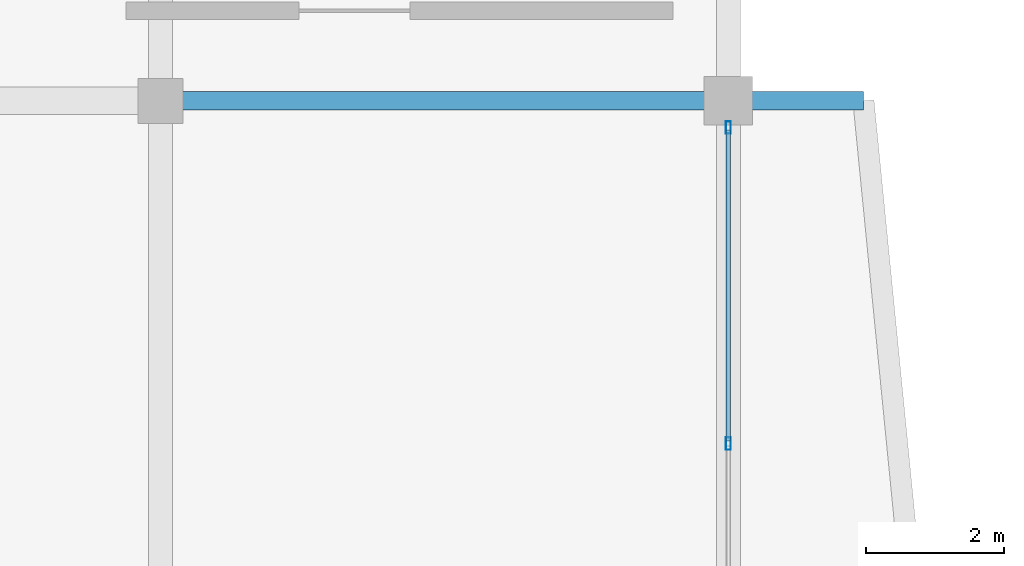
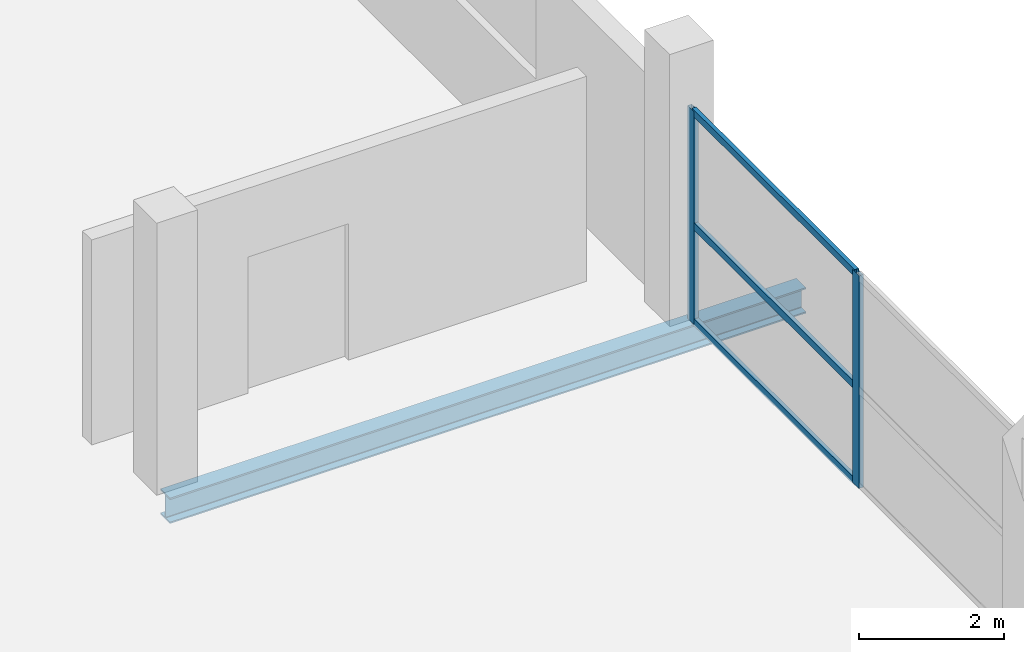
# One storey, part 42 of 69: 5 members, 1 beam, 1 element without a shape of its own.
"""IFC4 building model written with IfcOpenShell, lengths in metres."""

from ifc_helpers import new_model, si_unit, direction, frame, origin, origin_2d, place, context, subcontext, project, spatial, hollow_rectangle, i_section, extrude, material, layer, layer_set, material_profile, profile_set, type_object, element, aggregate, save


model = new_model("IFC4")

# Units and contexts
model_context = context("Model", 3, precision=1e-05, world=origin(), true_north=direction((0.0, 1.0)))
body_context = subcontext(model_context, "Body", "Model", "MODEL_VIEW")
ifc_project = project(units=[si_unit("LENGTHUNIT", "METRE"), si_unit("AREAUNIT", "SQUARE_METRE"), si_unit("VOLUMEUNIT", "CUBIC_METRE"), si_unit("PLANEANGLEUNIT", "RADIAN"), si_unit("MASSUNIT", "GRAM", prefix="KILO")], contexts=[model_context])

# Site, building, storey
site_placement = place(None, origin())
site = spatial("IfcSite", under=ifc_project, at=site_placement, CompositionType="ELEMENT")
building_placement = place(site_placement, origin())
building = spatial("IfcBuilding", under=site, at=building_placement, Name="Sillaruma Civic Art Gallery", CompositionType="ELEMENT")
storey_placement = place(building_placement, frame((0.0, 0.0, 42.330078125)))
storey = spatial("IfcBuildingStorey", under=building, at=storey_placement, Name="L08", CompositionType="ELEMENT", Elevation=42.330078125)

# Beam
ifc_material_1 = material(Name="Structural Steel ASTM A992 Gr.50", Category="steel")
ifc_material_profile_1 = material_profile(ifc_material_1, i_section(OverallWidth=0.264892578125, OverallDepth=0.430908203125, WebThickness=0.014892578125, FlangeThickness=0.02490234375, FilletRadius=0.012939453125, at=origin_2d()), Name="W410x149")
ifc_profile_set_1 = profile_set([ifc_material_profile_1], Name="Structural Steel ASTM A992 Gr.50")
beam_type = type_object("IfcBeamType", Name="BM-PROW-W410x149", PredefinedType="BEAM", material=ifc_profile_set_1)
beam_placement = place(storey_placement, frame((106.199951171875, 79.199951171875, -0.49560546875), z_axis=(1.0, 0.0, 0.0), x_axis=(0.0, 1.0, 0.0)))
element("IfcBeam", 1, at=beam_placement, inside=storey, type_object=beam_type, Name="Back-Spanned Prow Beam (PRW-L07-E-ROF-N)", PredefinedType="BEAM", context=body_context, shape_type="SweptSolid", body=[
    extrude(i_section(OverallWidth=0.264892578125, OverallDepth=0.430908203125, WebThickness=0.014892578125, FlangeThickness=0.02490234375, FilletRadius=0.012939453125, at=origin_2d()), origin(), (0.0, 0.0, 1.0), 10.150146484375),
])

# Curtain wall, members
ifc_material_2 = material(Name="Thermally Broken Extruded Aluminium 6063-T6", Category="aluminium")
ifc_layer = layer(ifc_material_2, 0.179931640625, Name="Thermally Broken Extruded Aluminium 6063-T6")
ifc_layer_set = layer_set([ifc_layer], Name="Thermally Broken Extruded Aluminium 6063-T6")
curtain_wall_type = type_object("IfcCurtainWallType", Name="CW-UNI-34", PredefinedType="NOTDEFINED", material=ifc_layer_set)
curtain_wall_placement = place(storey_placement, origin())
curtain_wall = element("IfcCurtainWall", 2, at=curtain_wall_placement, inside=storey, type_object=curtain_wall_type, Name="Unitised Curtain Wall CW-34 (CW-L08-EBE-6)", PredefinedType="NOTDEFINED")
ifc_material_profile_2 = material_profile(ifc_material_2, hollow_rectangle(XDim=0.070068359375, YDim=0.179931640625, WallThickness=0.00390625, at=origin_2d()), Name="CWM70x180")
ifc_profile_set_2 = profile_set([ifc_material_profile_2], Name="Thermally Broken Extruded Aluminium 6063-T6")
member_type_1 = type_object("IfcMemberType", Name="MEM-MUL-CWM70x180", PredefinedType="MULLION", material=ifc_profile_set_2)
member_1_placement = place(storey_placement, frame((114.39990234375, 74.25, 0.0), z_axis=(0.0, 0.0, 1.0), x_axis=(-1.0, 0.0, 0.0)))
member_1 = element("IfcMember", 3, at=member_1_placement, type_object=member_type_1, Name="CW-34 mullion 2", PredefinedType="MULLION", context=body_context, shape_type="SweptSolid", body=[
    extrude(hollow_rectangle(XDim=0.070068359375, YDim=0.179931640625, WallThickness=0.00390625, at=origin_2d()), origin(), (0.0, 0.0, 1.0), 3.58984375),
])
member_2_placement = place(storey_placement, frame((114.39990234375, 78.81494140625, 0.0), z_axis=(0.0, 0.0, 1.0), x_axis=(-1.0, 0.0, 0.0)))
member_2 = element("IfcMember", 4, at=member_2_placement, type_object=member_type_1, Name="CW-34 mullion 3", PredefinedType="MULLION", context=body_context, shape_type="SweptSolid", body=[
    extrude(hollow_rectangle(XDim=0.070068359375, YDim=0.179931640625, WallThickness=0.00390625, at=origin_2d()), origin(), (0.0, 0.0, 1.0), 3.58984375),
])
ifc_material_profile_3 = material_profile(ifc_material_2, hollow_rectangle(XDim=0.06494140625, YDim=0.1201171875, WallThickness=0.00341796875, at=origin_2d()), Name="CWT65x120")
ifc_profile_set_3 = profile_set([ifc_material_profile_3], Name="Thermally Broken Extruded Aluminium 6063-T6")
member_type_2 = type_object("IfcMemberType", Name="MEM-TRN-CWT65x120", PredefinedType="USERDEFINED", material=ifc_profile_set_3)
member_3_placement = place(storey_placement, frame((114.39990234375, 74.284912109375, 0.032470703125), z_axis=(0.0, 1.0, 0.0), x_axis=(-1.0, 0.0, 0.0)))
member_3 = element("IfcMember", 5, at=member_3_placement, type_object=member_type_2, Name="CW-34 transom 2.1", ObjectType="TRANSOM", PredefinedType="USERDEFINED", context=body_context, shape_type="SweptSolid", body=[
    extrude(hollow_rectangle(XDim=0.06494140625, YDim=0.1201171875, WallThickness=0.00341796875, at=origin_2d()), origin(), (0.0, 0.0, 1.0), 4.4951171875),
])
member_4_placement = place(storey_placement, frame((114.39990234375, 74.284912109375, 1.6513671875), z_axis=(0.0, 1.0, 0.0), x_axis=(-1.0, 0.0, 0.0)))
member_4 = element("IfcMember", 6, at=member_4_placement, type_object=member_type_2, Name="CW-34 transom 2.2", ObjectType="TRANSOM", PredefinedType="USERDEFINED", context=body_context, shape_type="SweptSolid", body=[
    extrude(hollow_rectangle(XDim=0.06494140625, YDim=0.1201171875, WallThickness=0.00341796875, at=origin_2d()), origin(), (0.0, 0.0, 1.0), 4.4951171875),
])
member_5_placement = place(storey_placement, frame((114.39990234375, 74.284912109375, 3.557373046875), z_axis=(0.0, 1.0, 0.0), x_axis=(-1.0, 0.0, 0.0)))
member_5 = element("IfcMember", 7, at=member_5_placement, type_object=member_type_2, Name="CW-34 transom 2.3", ObjectType="TRANSOM", PredefinedType="USERDEFINED", context=body_context, shape_type="SweptSolid", body=[
    extrude(hollow_rectangle(XDim=0.06494140625, YDim=0.1201171875, WallThickness=0.00341796875, at=origin_2d()), origin(), (0.0, 0.0, 1.0), 4.4951171875),
])
aggregate(curtain_wall, [member_1, member_2, member_3, member_4, member_5])

save(model, "model.ifc")
